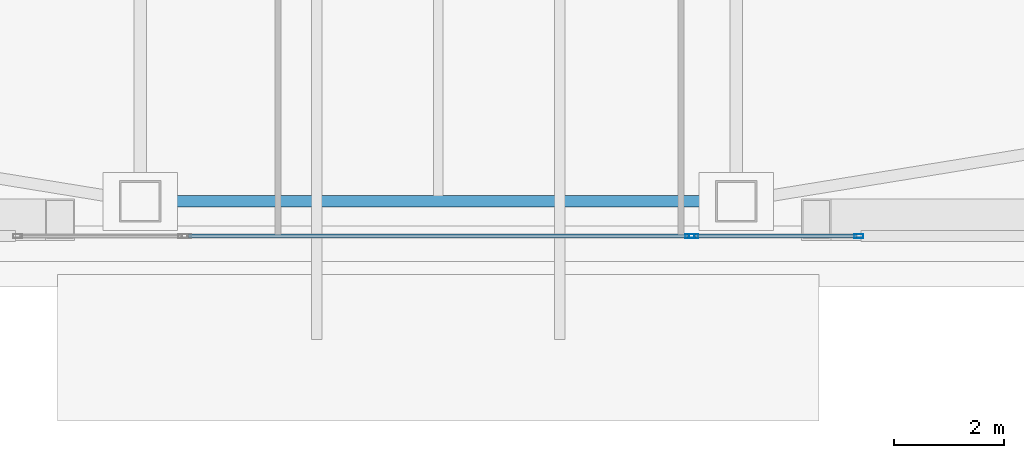
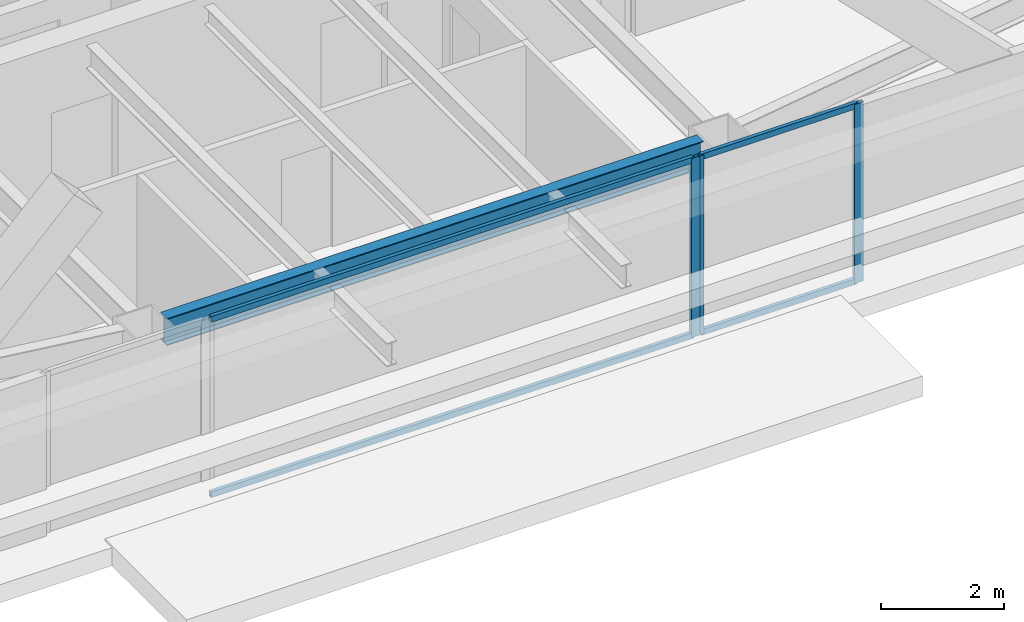
# One storey, part 6 of 39: 7 members, 1 beam, 2 elements without a shape of their own.
"""IFC4 building model written with IfcOpenShell, lengths in metres."""

from ifc_helpers import new_model, si_unit, direction, frame, origin, origin_2d, place, context, subcontext, project, spatial, hollow_rectangle, i_section, extrude, material, material_profile, profile_set, type_object, element, aggregate, save


model = new_model("IFC4")

# Units and contexts
model_context = context("Model", 3, precision=1e-05, world=origin(), true_north=direction((0.0, 1.0)))
body_context = subcontext(model_context, "Body", "Model", "MODEL_VIEW")
ifc_project = project(units=[si_unit("LENGTHUNIT", "METRE"), si_unit("AREAUNIT", "SQUARE_METRE"), si_unit("VOLUMEUNIT", "CUBIC_METRE"), si_unit("PLANEANGLEUNIT", "RADIAN"), si_unit("MASSUNIT", "GRAM", prefix="KILO")], contexts=[model_context])

# Site, building, storey
site_placement = place(None, origin())
site = spatial("IfcSite", under=ifc_project, at=site_placement, CompositionType="ELEMENT")
building_placement = place(site_placement, origin())
building = spatial("IfcBuilding", under=site, at=building_placement, Name="Tashvorn Skyway Center", CompositionType="ELEMENT")
storey_placement = place(building_placement, frame((0.0, 0.0, 232.60009765625)))
storey = spatial("IfcBuildingStorey", under=building, at=storey_placement, Name="L63", CompositionType="ELEMENT", Elevation=232.60009765625)

# Beam
ifc_material_1 = material(Name="Steel ASTM A992 Grade 50", Category="steel")
ifc_material_profile_1 = material_profile(ifc_material_1, i_section(OverallWidth=0.2109375, OverallDepth=0.5390625, WebThickness=0.01171875, FlangeThickness=0.018798828125, at=origin_2d()), Name="W21X73")
ifc_profile_set_1 = profile_set([ifc_material_profile_1], Name="Steel ASTM A992 Grade 50")
beam_type = type_object("IfcBeamType", Name="BM-SPANDREL-W21X73", PredefinedType="SPANDREL", material=ifc_profile_set_1)
beam_placement = place(storey_placement, frame((36.969970703125, 16.949951171875, 3.100341796875), z_axis=(1.0, 0.0, 0.0), x_axis=(0.0, 1.0, 0.0)))
element("IfcBeam", 1, at=beam_placement, inside=storey, type_object=beam_type, Name="Tower 1 L63 Spandrel Beam 02", PredefinedType="SPANDREL", context=body_context, shape_type="SweptSolid", body=[
    extrude(i_section(OverallWidth=0.2109375, OverallDepth=0.5390625, WebThickness=0.01171875, FlangeThickness=0.018798828125, at=origin_2d()), origin(), (0.0, 0.0, 1.0), 10.06005859375),
])

# Curtain wall, members
ifc_material_2 = material(Name="Thermally broken bronze-anodized aluminium 6063-T6", Category="aluminium")
curtain_wall_type = type_object("IfcCurtainWallType", Name="CW-CW-Z5", PredefinedType="NOTDEFINED", material=ifc_material_2)
curtain_wall_1_placement = place(storey_placement, origin())
curtain_wall_1 = element("IfcCurtainWall", 2, at=curtain_wall_1_placement, inside=storey, type_object=curtain_wall_type, Name="Tower 1 L63 South Unitised Curtain Wall Glazing Group 1", PredefinedType="NOTDEFINED")
ifc_material_profile_2 = material_profile(ifc_material_2, hollow_rectangle(XDim=0.070068359375, YDim=0.1650390625, WallThickness=0.00390625, at=origin_2d()), Name="ALU-MULL-70x165")
ifc_profile_set_2 = profile_set([ifc_material_profile_2], Name="Thermally broken bronze-anodized aluminium 6063-T6")
member_type_1 = type_object("IfcMemberType", Name="CWM-CW-Z5", PredefinedType="MULLION", material=ifc_profile_set_2)
member_1_placement = place(storey_placement, frame((49.62060546875, 16.320068359375, 0.0), z_axis=(0.0, 0.0, 1.0), x_axis=(0.0, -1.0, 0.0)))
member_1 = element("IfcMember", 3, at=member_1_placement, type_object=member_type_1, Name="CW-Z5 mullion 1", PredefinedType="MULLION", context=body_context, shape_type="SweptSolid", body=[
    extrude(hollow_rectangle(XDim=0.070068359375, YDim=0.1650390625, WallThickness=0.00390625, at=origin_2d()), origin(), (0.0, 0.0, 1.0), 3.5498046875),
])
member_2_placement = place(storey_placement, frame((46.62841796875, 16.320068359375, 0.0), z_axis=(0.0, 0.0, 1.0), x_axis=(0.0, -1.0, 0.0)))
member_2 = element("IfcMember", 4, at=member_2_placement, type_object=member_type_1, Name="CW-Z5 mullion 2", PredefinedType="MULLION", context=body_context, shape_type="SweptSolid", body=[
    extrude(hollow_rectangle(XDim=0.070068359375, YDim=0.1650390625, WallThickness=0.00390625, at=origin_2d()), origin(), (0.0, 0.0, 1.0), 3.5498046875),
])

# Curtain wall, member
curtain_wall_2_placement = place(storey_placement, origin())
curtain_wall_2 = element("IfcCurtainWall", 5, at=curtain_wall_2_placement, inside=storey, type_object=curtain_wall_type, Name="Tower 1 L63 South Unitised Curtain Wall Glazing Group 2", PredefinedType="NOTDEFINED")
member_3_placement = place(storey_placement, frame((46.558349609375, 16.320068359375, 0.0), z_axis=(0.0, 0.0, 1.0), x_axis=(0.0, -1.0, 0.0)))
member_3 = element("IfcMember", 6, at=member_3_placement, type_object=member_type_1, Name="CW-Z5 mullion 1", PredefinedType="MULLION", context=body_context, shape_type="SweptSolid", body=[
    extrude(hollow_rectangle(XDim=0.070068359375, YDim=0.1650390625, WallThickness=0.00390625, at=origin_2d()), origin(), (0.0, 0.0, 1.0), 3.5498046875),
])

# Member
ifc_material_profile_3 = material_profile(ifc_material_2, hollow_rectangle(XDim=0.070068359375, YDim=0.114990234375, WallThickness=0.00390625, at=origin_2d()), Name="ALU-TRAN-70x115")
ifc_profile_set_3 = profile_set([ifc_material_profile_3], Name="Thermally broken bronze-anodized aluminium 6063-T6")
member_type_2 = type_object("IfcMemberType", Name="CWT-CW-Z5", PredefinedType="USERDEFINED", material=ifc_profile_set_3)
member_4_placement = place(storey_placement, frame((49.585693359375, 16.320068359375, 0.034912109375), z_axis=(-1.0, 0.0, 0.0), x_axis=(0.0, -1.0, 0.0)))
member_4 = element("IfcMember", 7, at=member_4_placement, type_object=member_type_2, Name="CW-Z5 transom 1.1", ObjectType="TRANSOM", PredefinedType="USERDEFINED", context=body_context, shape_type="SweptSolid", body=[
    extrude(hollow_rectangle(XDim=0.070068359375, YDim=0.114990234375, WallThickness=0.00390625, at=origin_2d()), origin(), (0.0, 0.0, 1.0), 2.92236328125),
])

member_5_placement = place(storey_placement, frame((49.585693359375, 16.320068359375, 3.514892578125), z_axis=(-1.0, 0.0, 0.0), x_axis=(0.0, -1.0, 0.0)))
member_5 = element("IfcMember", 8, at=member_5_placement, type_object=member_type_2, Name="CW-Z5 transom 1.2", ObjectType="TRANSOM", PredefinedType="USERDEFINED", context=body_context, shape_type="SweptSolid", body=[
    extrude(hollow_rectangle(XDim=0.070068359375, YDim=0.114990234375, WallThickness=0.00390625, at=origin_2d()), origin(), (0.0, 0.0, 1.0), 2.92236328125),
])

aggregate(curtain_wall_1, [member_1, member_2, member_4, member_5])

member_6_placement = place(storey_placement, frame((46.523193359375, 16.320068359375, 0.034912109375), z_axis=(-1.0, 0.0, 0.0), x_axis=(0.0, -1.0, 0.0)))
member_6 = element("IfcMember", 9, at=member_6_placement, type_object=member_type_2, Name="CW-Z5 transom 1.1", ObjectType="TRANSOM", PredefinedType="USERDEFINED", context=body_context, shape_type="SweptSolid", body=[
    extrude(hollow_rectangle(XDim=0.070068359375, YDim=0.114990234375, WallThickness=0.00390625, at=origin_2d()), origin(), (0.0, 0.0, 1.0), 9.04638671875),
])

member_7_placement = place(storey_placement, frame((46.523193359375, 16.320068359375, 3.514892578125), z_axis=(-1.0, 0.0, 0.0), x_axis=(0.0, -1.0, 0.0)))
member_7 = element("IfcMember", 10, at=member_7_placement, type_object=member_type_2, Name="CW-Z5 transom 1.2", ObjectType="TRANSOM", PredefinedType="USERDEFINED", context=body_context, shape_type="SweptSolid", body=[
    extrude(hollow_rectangle(XDim=0.070068359375, YDim=0.114990234375, WallThickness=0.00390625, at=origin_2d()), origin(), (0.0, 0.0, 1.0), 9.04638671875),
])

aggregate(curtain_wall_2, [member_3, member_6, member_7])

save(model, "model.ifc")
